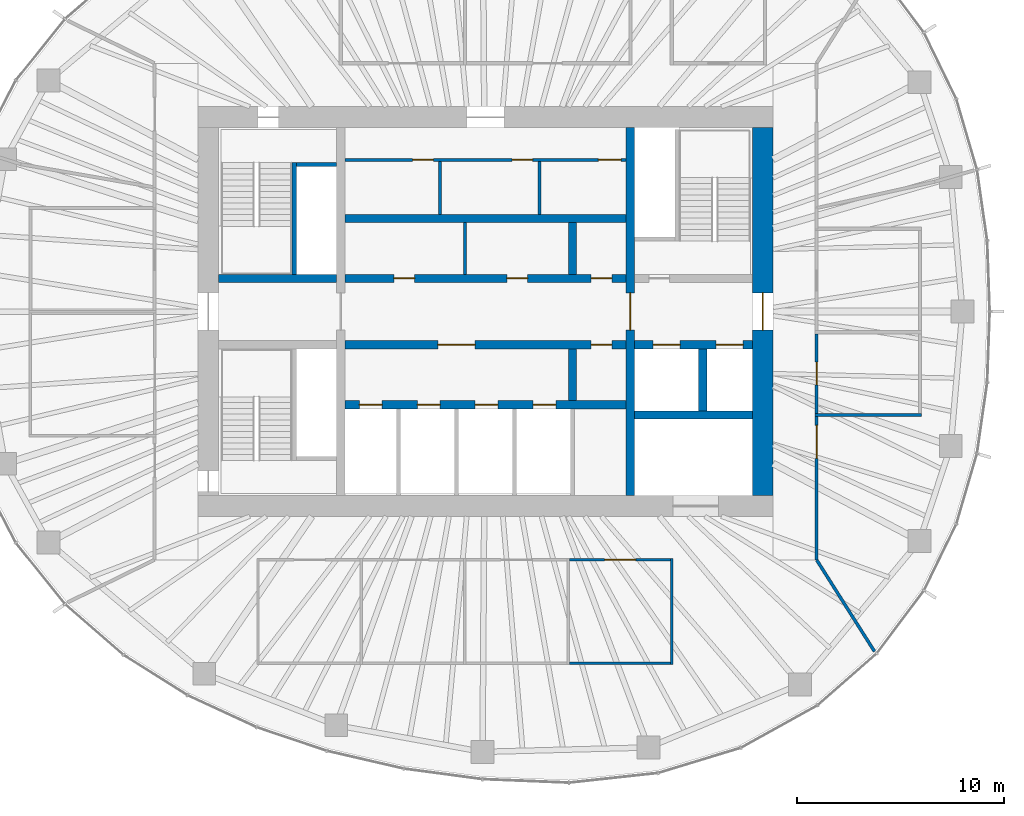
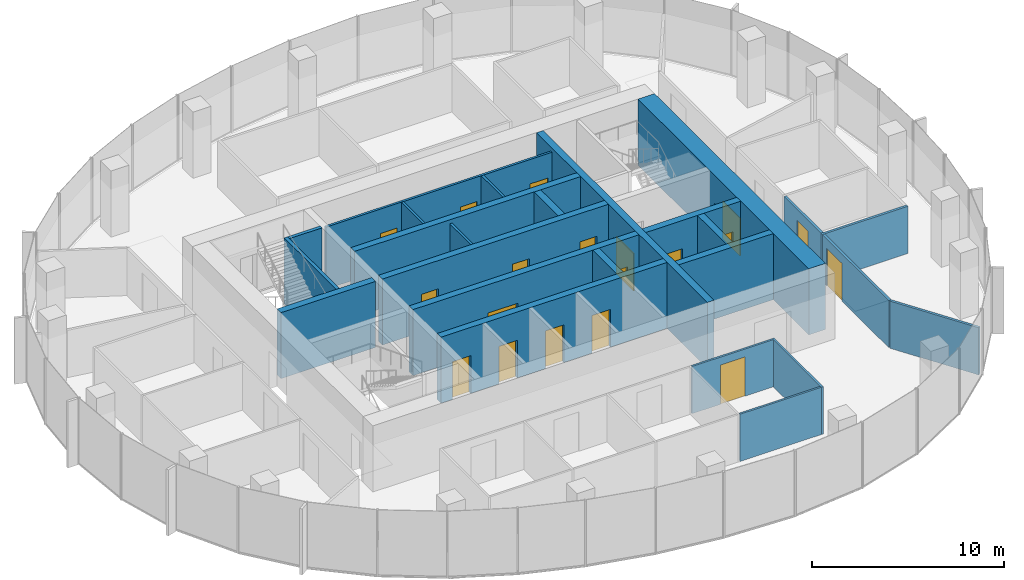
# One storey, part 9 of 11: 25 walls, 19 doors, 19 openings.
"""IFC4 building model written with IfcOpenShell, lengths in metres."""

from ifc_helpers import new_model, si_unit, direction, frame, frame_2d, origin, place, context, subcontext, project, spatial, rectangle, extrude, material, layer, layer_set, type_object, element, fill, save


model = new_model("IFC4")

# Units and contexts
model_context = context("Model", 3, precision=1e-05, world=origin(), true_north=direction((0.0, 1.0)))
body_context = subcontext(model_context, "Body", "Model", "MODEL_VIEW")
ifc_project = project(units=[si_unit("LENGTHUNIT", "METRE"), si_unit("AREAUNIT", "SQUARE_METRE"), si_unit("VOLUMEUNIT", "CUBIC_METRE"), si_unit("PLANEANGLEUNIT", "RADIAN"), si_unit("MASSUNIT", "GRAM", prefix="KILO")], contexts=[model_context])

# Site, building, storey
site_placement = place(None, origin())
site = spatial("IfcSite", under=ifc_project, at=site_placement, CompositionType="ELEMENT")
building_placement = place(site_placement, origin())
building = spatial("IfcBuilding", under=site, at=building_placement, Name="Ghaith Harvest Tower", CompositionType="ELEMENT")
storey_placement = place(building_placement, frame((0.0, 0.0, 288.0)))
storey = spatial("IfcBuildingStorey", under=building, at=storey_placement, Name="L64", CompositionType="ELEMENT", Elevation=288.0)

# Wall, openings, doors
ifc_material_1 = material(Name="Concrete blockwork, fair-faced", Category="masonry")
ifc_layer_1 = layer(ifc_material_1, 0.139892578125)
ifc_layer_set_1 = layer_set([ifc_layer_1], Name="CORE PARTITION 140")
wall_type_1 = type_object("IfcWallType", Name="CORE PARTITION 140", PredefinedType="PARTITIONING", material=ifc_layer_set_1)
wall_1_placement = place(storey_placement, frame((-6.800048828125, 7.330078125, 0.0), z_axis=(0.0, 0.0, 1.0), x_axis=(1.0, 0.0, 0.0)))
wall_1 = element("IfcWall", 1, at=wall_1_placement, inside=storey, type_object=wall_type_1, Name="Core partition L64", PredefinedType="PARTITIONING", context=body_context, shape_type="SweptSolid", body=[
    extrude(rectangle(XDim=13.60009765625, YDim=0.139892578125, at=frame_2d((6.800048828125, 0.0))), origin(), (0.0, 0.0, 1.0), 3.949951171875),
])
opening_1_placement = place(wall_1_placement, frame((3.280029296875, 0.0, 0.0)))
opening_1 = element("IfcOpeningElement", 2, at=opening_1_placement, cuts=wall_1, Name="Opening 64-008", PredefinedType="OPENING", context=body_context, shape_type="SweptSolid", body=[
    extrude(rectangle(XDim=1.0, YDim=2.39990234375, at=frame_2d((0.5, 1.199951171875))), frame((0.0, 0.080078125, 0.0), z_axis=(0.0, -1.0, 0.0), x_axis=(1.0, 0.0, 0.0)), (0.0, 0.0, 1.0), 0.159912109375),
])
opening_2_placement = place(wall_1_placement, frame((8.080078125, 0.0, 0.0)))
opening_2 = element("IfcOpeningElement", 3, at=opening_2_placement, cuts=wall_1, Name="Opening 64-009", PredefinedType="OPENING", context=body_context, shape_type="SweptSolid", body=[
    extrude(rectangle(XDim=1.0, YDim=2.39990234375, at=frame_2d((0.5, 1.199951171875))), frame((0.0, 0.080078125, 0.0), z_axis=(0.0, -1.0, 0.0), x_axis=(1.0, 0.0, 0.0)), (0.0, 0.0, 1.0), 0.159912109375),
])
opening_3_placement = place(wall_1_placement, frame((12.25, 0.0, 0.0)))
opening_3 = element("IfcOpeningElement", 4, at=opening_3_placement, cuts=wall_1, Name="Opening 64-010", PredefinedType="OPENING", context=body_context, shape_type="SweptSolid", body=[
    extrude(rectangle(XDim=1.10009765625, YDim=2.39990234375, at=frame_2d((0.550048828125, 1.199951171875))), frame((0.0, 0.080078125, 0.0), z_axis=(0.0, -1.0, 0.0), x_axis=(1.0, 0.0, 0.0)), (0.0, 0.0, 1.0), 0.159912109375),
])
ifc_material_2 = material(Name="Steel fire door", Category="steel")
door_type_1 = type_object("IfcDoorType", Name="D3 FD90 1000x2400", OperationType="SINGLE_SWING_LEFT", PredefinedType="DOOR", material=ifc_material_2)
door_1_placement = place(opening_1_placement, origin())
door_1 = element("IfcDoor", 5, at=door_1_placement, inside=storey, type_object=door_type_1, Name="Female WC door", OperationType="SINGLE_SWING_LEFT", OverallHeight=2.39990234375, OverallWidth=1.0, PredefinedType="DOOR", context=body_context, shape_type="SweptSolid", body=[
    extrude(rectangle(XDim=1.0, YDim=2.39990234375, at=frame_2d((0.5, 1.199951171875))), frame((0.0, 0.02490234375, 0.0), z_axis=(0.0, -1.0, 0.0), x_axis=(1.0, 0.0, 0.0)), (0.0, 0.0, 1.0), 0.050048828125),
])
fill(opening_1, door_1)
door_2_placement = place(opening_2_placement, origin())
door_2 = element("IfcDoor", 6, at=door_2_placement, inside=storey, type_object=door_type_1, Name="Male WC door", OperationType="SINGLE_SWING_RIGHT", OverallHeight=2.39990234375, OverallWidth=1.0, PredefinedType="DOOR", context=body_context, shape_type="SweptSolid", body=[
    extrude(rectangle(XDim=1.0, YDim=2.39990234375, at=frame_2d((0.5, 1.199951171875))), frame((0.0, 0.02490234375, 0.0), z_axis=(0.0, -1.0, 0.0), x_axis=(1.0, 0.0, 0.0)), (0.0, 0.0, 1.0), 0.050048828125),
])
fill(opening_2, door_2)
ifc_material_3 = material(Name="Steel fire door", Category="steel")
door_type_2 = type_object("IfcDoorType", Name="D9 FD90 1100x2400", OperationType="SINGLE_SWING_LEFT", PredefinedType="DOOR", material=ifc_material_3)
door_3_placement = place(opening_3_placement, origin())
door_3 = element("IfcDoor", 7, at=door_3_placement, inside=storey, type_object=door_type_2, Name="Accessible WC door", OperationType="SINGLE_SWING_RIGHT", OverallHeight=2.39990234375, OverallWidth=1.10009765625, PredefinedType="DOOR", context=body_context, shape_type="SweptSolid", body=[
    extrude(rectangle(XDim=1.10009765625, YDim=2.39990234375, at=frame_2d((0.550048828125, 1.199951171875))), frame((0.0, 0.02490234375, 0.0), z_axis=(0.0, -1.0, 0.0), x_axis=(1.0, 0.0, 0.0)), (0.0, 0.0, 1.0), 0.050048828125),
])
fill(opening_3, door_3)

# Walls
for number, where, z_axis, x_axis, name in (
    (8, (-2.199951171875, 4.699951171875, 0.0), (0.0, 0.0, 1.0), (0.0, 1.0, 0.0), "Core partition L64"),
    (9, (2.60009765625, 4.699951171875, 0.0), (0.0, 0.0, 1.0), (0.0, 1.0, 0.0), "Core partition L64"),
):
    element("IfcWall", number, at=place(storey_placement, frame(where, z_axis=z_axis, x_axis=x_axis)), inside=storey, type_object=wall_type_1, Name=name, PredefinedType="PARTITIONING", context=body_context, shape_type="SweptSolid", body=[
        extrude(rectangle(XDim=2.56005859375, YDim=0.139892578125, at=frame_2d((1.280029296875, 0.0))), origin(), (0.0, 0.0, 1.0), 3.949951171875),
    ])
wall_2_placement = place(storey_placement, frame((-1.0, 1.800048828125, 0.0), z_axis=(0.0, 0.0, 1.0), x_axis=(0.0, 1.0, 0.0)))
element("IfcWall", 10, at=wall_2_placement, inside=storey, type_object=wall_type_1, Name="Core partition L64", PredefinedType="PARTITIONING", context=body_context, shape_type="SweptSolid", body=[
    extrude(rectangle(XDim=2.5, YDim=0.139892578125, at=frame_2d((1.25, 0.0))), origin(), (0.0, 0.0, 1.0), 3.949951171875),
])

# Wall, opening, door
ifc_material_4 = material(Name="Concrete C50/60", Category="concrete")
ifc_layer_2 = layer(ifc_material_4, 1.0)
ifc_layer_set_2 = layer_set([ifc_layer_2], Name="CORE WALL CW1000")
wall_type_2 = type_object("IfcWallType", Name="CORE WALL CW1000", PredefinedType="SHEAR", material=ifc_layer_set_2)
wall_3_placement = place(storey_placement, frame((13.39990234375, -8.89990234375, 0.0), z_axis=(0.0, 0.0, 1.0), x_axis=(0.0, 1.0, 0.0)))
wall_3 = element("IfcWall", 11, at=wall_3_placement, inside=storey, type_object=wall_type_2, Name="Core wall E L64", PredefinedType="SHEAR", context=body_context, shape_type="SweptSolid", body=[
    extrude(rectangle(XDim=17.7998046875, YDim=1.0, at=frame_2d((8.89990234375, 0.0))), origin(), (0.0, 0.0, 1.0), 4.199951171875),
])
opening_4_placement = place(wall_3_placement, frame((8.0, 0.0, 0.0)))
opening_4 = element("IfcOpeningElement", 12, at=opening_4_placement, cuts=wall_3, Name="Opening 64-002", PredefinedType="OPENING", context=body_context, shape_type="SweptSolid", body=[
    extrude(rectangle(XDim=1.800048828125, YDim=2.39990234375, at=frame_2d((0.89990234375, 1.199951171875))), frame((0.0, 0.510009765625, 0.0), z_axis=(0.0, -1.0, 0.0), x_axis=(1.0, 0.0, 0.0)), (0.0, 0.0, 1.0), 1.02001953125),
])
ifc_material_5 = material(Name="Steel fire door", Category="steel")
door_type_3 = type_object("IfcDoorType", Name="D4 FD90 PAIR 1800x2400", OperationType="DOUBLE_DOOR_SINGLE_SWING", PredefinedType="DOOR", material=ifc_material_5)
door_4_placement = place(opening_4_placement, origin())
door_4 = element("IfcDoor", 13, at=door_4_placement, inside=storey, type_object=door_type_3, Name="Fire-fighting lobby doors", OperationType="DOUBLE_DOOR_SINGLE_SWING", OverallHeight=2.39990234375, OverallWidth=1.800048828125, PredefinedType="DOOR", context=body_context, shape_type="SweptSolid", body=[
    extrude(rectangle(XDim=1.800048828125, YDim=2.39990234375, at=frame_2d((0.89990234375, 1.199951171875))), frame((0.0, 0.02490234375, 0.0), z_axis=(0.0, -1.0, 0.0), x_axis=(1.0, 0.0, 0.0)), (0.0, 0.0, 1.0), 0.050048828125),
])
fill(opening_4, door_4)

# Wall
ifc_material_6 = material(Name="Insulated food-grade panel", Category="steel")
ifc_layer_3 = layer(ifc_material_6, 0.1201171875)
ifc_layer_set_3 = layer_set([ifc_layer_3], Name="INSULATED PANEL WALL 120")
wall_type_3 = type_object("IfcWallType", Name="INSULATED PANEL WALL 120", PredefinedType="PARTITIONING", material=ifc_layer_set_3)
wall_4_placement = place(storey_placement, frame((9.0, -11.93994140625, 0.0), z_axis=(0.0, 0.0, 1.0), x_axis=(0.0, -1.0, 0.0)))
element("IfcWall", 14, at=wall_4_placement, inside=storey, type_object=wall_type_3, Name="Partition L64 row S1 cross wall 5", PredefinedType="PARTITIONING", context=body_context, shape_type="SweptSolid", body=[
    extrude(rectangle(XDim=5.1201171875, YDim=0.1201171875, at=frame_2d((2.56005859375, 0.0))), origin(), (0.0, 0.0, 1.0), 3.0),
])

# Wall, opening, door
wall_5_placement = place(storey_placement, frame((4.06005859375, -12.0, 0.0), z_axis=(0.0, 0.0, 1.0), x_axis=(1.0, 0.0, 0.0)))
wall_5 = element("IfcWall", 15, at=wall_5_placement, inside=storey, type_object=wall_type_3, Name="Partition L64-04", PredefinedType="PARTITIONING", context=body_context, shape_type="SweptSolid", body=[
    extrude(rectangle(XDim=4.8798828125, YDim=0.1201171875, at=frame_2d((2.43994140625, 0.0))), origin(), (0.0, 0.0, 1.0), 3.0),
])
opening_5_placement = place(wall_5_placement, frame((1.68994140625, 0.0, 0.0)))
opening_5 = element("IfcOpeningElement", 16, at=opening_5_placement, cuts=wall_5, Name="Opening 64-027", PredefinedType="OPENING", context=body_context, shape_type="SweptSolid", body=[
    extrude(rectangle(XDim=1.5, YDim=2.5, at=frame_2d((0.75, 1.25))), frame((0.0, 0.070068359375, 0.0), z_axis=(0.0, -1.0, 0.0), x_axis=(1.0, 0.0, 0.0)), (0.0, 0.0, 1.0), 0.14013671875),
])
ifc_material_7 = material(Name="Insulated steel sliding door", Category="steel")
door_type_4 = type_object("IfcDoorType", Name="D13 COLD STORE SLIDING 1500x2500", OperationType="SLIDING_TO_LEFT", PredefinedType="DOOR", material=ifc_material_7)
door_5_placement = place(opening_5_placement, origin())
door_5 = element("IfcDoor", 17, at=door_5_placement, inside=storey, type_object=door_type_4, Name="Mushroom growing room door", OperationType="SLIDING_TO_LEFT", OverallHeight=2.5, OverallWidth=1.5, PredefinedType="DOOR", context=body_context, shape_type="SweptSolid", body=[
    extrude(rectangle(XDim=1.5, YDim=2.5, at=frame_2d((0.75, 1.25))), frame((0.0, 0.02490234375, 0.0), z_axis=(0.0, -1.0, 0.0), x_axis=(1.0, 0.0, 0.0)), (0.0, 0.0, 1.0), 0.050048828125),
])
fill(opening_5, door_5)

# Walls
wall_6_placement = place(storey_placement, frame((4.06005859375, -17.0, 0.0), z_axis=(0.0, 0.0, 1.0), x_axis=(1.0, 0.0, 0.0)))
element("IfcWall", 18, at=wall_6_placement, inside=storey, type_object=wall_type_3, Name="Partition L64-04", PredefinedType="PARTITIONING", context=body_context, shape_type="SweptSolid", body=[
    extrude(rectangle(XDim=4.8798828125, YDim=0.1201171875, at=frame_2d((2.43994140625, 0.0))), origin(), (0.0, 0.0, 1.0), 3.0),
])
ifc_material_8 = material(Name="Gypsum board on steel studs", Category="steel")
ifc_layer_4 = layer(ifc_material_8, 0.14990234375)
ifc_layer_set_4 = layer_set([ifc_layer_4], Name="PARTITION 150")
wall_type_4 = type_object("IfcWallType", Name="PARTITION 150", PredefinedType="PARTITIONING", material=ifc_layer_set_4)
wall_7_placement = place(storey_placement, frame((15.925048828125, -5.0, 0.0), z_axis=(0.0, 0.0, 1.0), x_axis=(1.0, 0.0, 0.0)))
element("IfcWall", 19, at=wall_7_placement, inside=storey, type_object=wall_type_4, Name="Partition L64 row E4 cross wall 1", PredefinedType="PARTITIONING", context=body_context, shape_type="SweptSolid", body=[
    extrude(rectangle(XDim=5.14990234375, YDim=0.14990234375, at=frame_2d((2.574951171875, 0.0))), origin(), (0.0, 0.0, 1.0), 3.0),
])

# Wall, opening, door
wall_8_placement = place(storey_placement, frame((16.0, -4.925048828125, 0.0), z_axis=(0.0, 0.0, 1.0), x_axis=(0.0, 1.0, 0.0)))
wall_8 = element("IfcWall", 20, at=wall_8_placement, inside=storey, type_object=wall_type_4, Name="Partition L64-09", PredefinedType="PARTITIONING", context=body_context, shape_type="SweptSolid", body=[
    extrude(rectangle(XDim=3.85009765625, YDim=0.14990234375, at=frame_2d((1.925048828125, 0.0))), origin(), (0.0, 0.0, 1.0), 3.0),
])
opening_6_placement = place(wall_8_placement, frame((1.375, 0.0, 0.0)))
opening_6 = element("IfcOpeningElement", 21, at=opening_6_placement, cuts=wall_8, Name="Opening 64-032", PredefinedType="OPENING", context=body_context, shape_type="SweptSolid", body=[
    extrude(rectangle(XDim=1.10009765625, YDim=2.300048828125, at=frame_2d((0.550048828125, 1.14990234375))), frame((0.0, 0.0849609375, 0.0), z_axis=(0.0, -1.0, 0.0), x_axis=(1.0, 0.0, 0.0)), (0.0, 0.0, 1.0), 0.169921875),
])
ifc_material_9 = material(Name="Timber-framed glazed door", Category="wood")
door_type_5 = type_object("IfcDoorType", Name="D12 GLAZED OFFICE 1100x2300", OperationType="SINGLE_SWING_LEFT", PredefinedType="DOOR", material=ifc_material_9)
door_6_placement = place(opening_6_placement, origin())
door_6 = element("IfcDoor", 22, at=door_6_placement, inside=storey, type_object=door_type_5, Name="Crop office door", OperationType="SINGLE_SWING_LEFT", OverallHeight=2.300048828125, OverallWidth=1.10009765625, PredefinedType="DOOR", context=body_context, shape_type="SweptSolid", body=[
    extrude(rectangle(XDim=1.10009765625, YDim=2.300048828125, at=frame_2d((0.550048828125, 1.14990234375))), frame((0.0, 0.02490234375, 0.0), z_axis=(0.0, -1.0, 0.0), x_axis=(1.0, 0.0, 0.0)), (0.0, 0.0, 1.0), 0.050048828125),
])
fill(opening_6, door_6)

# Wall
wall_9_placement = place(storey_placement, frame((16.0107421875, -12.016845703125, 0.0), z_axis=(0.0, 0.0, 1.0), x_axis=(0.53415837449, -0.845384427916, 0.0)))
element("IfcWall", 23, at=wall_9_placement, inside=storey, type_object=wall_type_4, Name="Partition L64 zone division", PredefinedType="PARTITIONING", context=body_context, shape_type="SweptSolid", body=[
    extrude(rectangle(XDim=5.220458984375, YDim=0.14990234375, at=frame_2d((2.6103515625, 0.0))), origin(), (0.0, 0.0, 1.0), 3.0),
])

# Wall, opening, door
wall_10_placement = place(storey_placement, frame((16.0, -12.0, 0.0), z_axis=(0.0, 0.0, 1.0), x_axis=(0.0, 1.0, 0.0)))
wall_10 = element("IfcWall", 24, at=wall_10_placement, inside=storey, type_object=wall_type_4, Name="Partition L64 zone enclosure", PredefinedType="PARTITIONING", context=body_context, shape_type="SweptSolid", body=[
    extrude(rectangle(XDim=7.0, YDim=0.14990234375, at=frame_2d((3.5, 0.0))), origin(), (0.0, 0.0, 1.0), 3.0),
])
opening_7_placement = place(wall_10_placement, frame((4.89990234375, 0.0, 0.0)))
opening_7 = element("IfcOpeningElement", 25, at=opening_7_placement, cuts=wall_10, Name="Opening 64-036", PredefinedType="OPENING", context=body_context, shape_type="SweptSolid", body=[
    extrude(rectangle(XDim=1.60009765625, YDim=2.39990234375, at=frame_2d((0.800048828125, 1.199951171875))), frame((0.0, 0.0849609375, 0.0), z_axis=(0.0, -1.0, 0.0), x_axis=(1.0, 0.0, 0.0)), (0.0, 0.0, 1.0), 0.169921875),
])
ifc_material_10 = material(Name="Timber door", Category="wood")
door_type_6 = type_object("IfcDoorType", Name="D2 PAIR 1600x2400", OperationType="DOUBLE_DOOR_SINGLE_SWING", PredefinedType="DOOR", material=ifc_material_10)
door_7_placement = place(opening_7_placement, origin())
door_7 = element("IfcDoor", 26, at=door_7_placement, inside=storey, type_object=door_type_6, Name="Specialty growing area east 2 door", OperationType="DOUBLE_DOOR_SINGLE_SWING", OverallHeight=2.39990234375, OverallWidth=1.60009765625, PredefinedType="DOOR", context=body_context, shape_type="SweptSolid", body=[
    extrude(rectangle(XDim=1.60009765625, YDim=2.39990234375, at=frame_2d((0.800048828125, 1.199951171875))), frame((0.0, 0.02490234375, 0.0), z_axis=(0.0, -1.0, 0.0), x_axis=(1.0, 0.0, 0.0)), (0.0, 0.0, 1.0), 0.050048828125),
])
fill(opening_7, door_7)

ifc_material_11 = material(Name="Concrete C70/85", Category="concrete")
ifc_layer_5 = layer(ifc_material_11, 0.39990234375)
ifc_layer_set_5 = layer_set([ifc_layer_5], Name="SHAFT WALL 400")
wall_type_5 = type_object("IfcWallType", Name="SHAFT WALL 400", PredefinedType="SHEAR", material=ifc_layer_set_5)
wall_11_placement = place(storey_placement, frame((7.0, -8.89990234375, 0.0), z_axis=(0.0, 0.0, 1.0), x_axis=(0.0, 1.0, 0.0)))
wall_11 = element("IfcWall", 27, at=wall_11_placement, inside=storey, type_object=wall_type_5, Name="Shaft wall W7E L64", PredefinedType="SHEAR", context=body_context, shape_type="SweptSolid", body=[
    extrude(rectangle(XDim=17.7998046875, YDim=0.39990234375, at=frame_2d((8.89990234375, 0.0))), origin(), (0.0, 0.0, 1.0), 4.199951171875),
])
opening_8_placement = place(wall_11_placement, frame((8.0, 0.0, 0.0)))
opening_8 = element("IfcOpeningElement", 28, at=opening_8_placement, cuts=wall_11, Name="Opening 64-004", PredefinedType="OPENING", context=body_context, shape_type="SweptSolid", body=[
    extrude(rectangle(XDim=1.800048828125, YDim=2.39990234375, at=frame_2d((0.89990234375, 1.199951171875))), frame((0.0, 0.2099609375, 0.0), z_axis=(0.0, -1.0, 0.0), x_axis=(1.0, 0.0, 0.0)), (0.0, 0.0, 1.0), 0.419921875),
])
door_8_placement = place(opening_8_placement, origin())
door_8 = element("IfcDoor", 29, at=door_8_placement, inside=storey, type_object=door_type_3, Name="Lift lobby doors, east", OperationType="DOUBLE_DOOR_SINGLE_SWING", OverallHeight=2.39990234375, OverallWidth=1.800048828125, PredefinedType="DOOR", context=body_context, shape_type="SweptSolid", body=[
    extrude(rectangle(XDim=1.800048828125, YDim=2.39990234375, at=frame_2d((0.89990234375, 1.199951171875))), frame((0.0, 0.02490234375, 0.0), z_axis=(0.0, -1.0, 0.0), x_axis=(1.0, 0.0, 0.0)), (0.0, 0.0, 1.0), 0.050048828125),
])
fill(opening_8, door_8)

# Wall, openings, doors
wall_12_placement = place(storey_placement, frame((-6.800048828125, 1.60009765625, 0.0), z_axis=(0.0, 0.0, 1.0), x_axis=(1.0, 0.0, 0.0)))
wall_12 = element("IfcWall", 30, at=wall_12_placement, inside=storey, type_object=wall_type_5, Name="Shaft wall LN L64", PredefinedType="SHEAR", context=body_context, shape_type="SweptSolid", body=[
    extrude(rectangle(XDim=13.60009765625, YDim=0.39990234375, at=frame_2d((6.800048828125, 0.0))), origin(), (0.0, 0.0, 1.0), 4.199951171875),
])
opening_9_placement = place(wall_12_placement, frame((2.364990234375, 0.0, 0.0)))
opening_9 = element("IfcOpeningElement", 31, at=opening_9_placement, cuts=wall_12, Name="Opening 64-011", PredefinedType="OPENING", context=body_context, shape_type="SweptSolid", body=[
    extrude(rectangle(XDim=1.0, YDim=2.39990234375, at=frame_2d((0.5, 1.199951171875))), frame((0.0, 0.2099609375, 0.0), z_axis=(0.0, -1.0, 0.0), x_axis=(1.0, 0.0, 0.0)), (0.0, 0.0, 1.0), 0.419921875),
])
opening_10_placement = place(wall_12_placement, frame((7.8349609375, 0.0, 0.0)))
opening_10 = element("IfcOpeningElement", 32, at=opening_10_placement, cuts=wall_12, Name="Opening 64-012", PredefinedType="OPENING", context=body_context, shape_type="SweptSolid", body=[
    extrude(rectangle(XDim=1.0, YDim=2.39990234375, at=frame_2d((0.5, 1.199951171875))), frame((0.0, 0.2099609375, 0.0), z_axis=(0.0, -1.0, 0.0), x_axis=(1.0, 0.0, 0.0)), (0.0, 0.0, 1.0), 0.419921875),
])
opening_11_placement = place(wall_12_placement, frame((11.89990234375, 0.0, 0.0)))
opening_11 = element("IfcOpeningElement", 33, at=opening_11_placement, cuts=wall_12, Name="Opening 64-013", PredefinedType="OPENING", context=body_context, shape_type="SweptSolid", body=[
    extrude(rectangle(XDim=1.0, YDim=2.39990234375, at=frame_2d((0.5, 1.199951171875))), frame((0.0, 0.2099609375, 0.0), z_axis=(0.0, -1.0, 0.0), x_axis=(1.0, 0.0, 0.0)), (0.0, 0.0, 1.0), 0.419921875),
])
door_9_placement = place(opening_9_placement, origin())
door_9 = element("IfcDoor", 34, at=door_9_placement, inside=storey, type_object=door_type_1, Name="Electrical room door", OperationType="SINGLE_SWING_LEFT", OverallHeight=2.39990234375, OverallWidth=1.0, PredefinedType="DOOR", context=body_context, shape_type="SweptSolid", body=[
    extrude(rectangle(XDim=1.0, YDim=2.39990234375, at=frame_2d((0.5, 1.199951171875))), frame((0.0, 0.02490234375, 0.0), z_axis=(0.0, -1.0, 0.0), x_axis=(1.0, 0.0, 0.0)), (0.0, 0.0, 1.0), 0.050048828125),
])
fill(opening_9, door_9)
door_10_placement = place(opening_10_placement, origin())
door_10 = element("IfcDoor", 35, at=door_10_placement, inside=storey, type_object=door_type_1, Name="Security room door", OperationType="SINGLE_SWING_RIGHT", OverallHeight=2.39990234375, OverallWidth=1.0, PredefinedType="DOOR", context=body_context, shape_type="SweptSolid", body=[
    extrude(rectangle(XDim=1.0, YDim=2.39990234375, at=frame_2d((0.5, 1.199951171875))), frame((0.0, 0.02490234375, 0.0), z_axis=(0.0, -1.0, 0.0), x_axis=(1.0, 0.0, 0.0)), (0.0, 0.0, 1.0), 0.050048828125),
])
fill(opening_10, door_10)
door_11_placement = place(opening_11_placement, origin())
door_11 = element("IfcDoor", 36, at=door_11_placement, inside=storey, type_object=door_type_1, Name="Communications equipment room door", OperationType="SINGLE_SWING_RIGHT", OverallHeight=2.39990234375, OverallWidth=1.0, PredefinedType="DOOR", context=body_context, shape_type="SweptSolid", body=[
    extrude(rectangle(XDim=1.0, YDim=2.39990234375, at=frame_2d((0.5, 1.199951171875))), frame((0.0, 0.02490234375, 0.0), z_axis=(0.0, -1.0, 0.0), x_axis=(1.0, 0.0, 0.0)), (0.0, 0.0, 1.0), 0.050048828125),
])
fill(opening_11, door_11)

wall_13_placement = place(storey_placement, frame((-6.800048828125, -1.60009765625, 0.0), z_axis=(0.0, 0.0, 1.0), x_axis=(1.0, 0.0, 0.0)))
wall_13 = element("IfcWall", 37, at=wall_13_placement, inside=storey, type_object=wall_type_5, Name="Shaft wall LS L64", PredefinedType="SHEAR", context=body_context, shape_type="SweptSolid", body=[
    extrude(rectangle(XDim=13.60009765625, YDim=0.39990234375, at=frame_2d((6.800048828125, 0.0))), origin(), (0.0, 0.0, 1.0), 4.199951171875),
])
opening_12_placement = place(wall_13_placement, frame((11.89990234375, 0.0, 0.0)))
opening_12 = element("IfcOpeningElement", 38, at=opening_12_placement, cuts=wall_13, Name="Opening 64-014", PredefinedType="OPENING", context=body_context, shape_type="SweptSolid", body=[
    extrude(rectangle(XDim=1.0, YDim=2.39990234375, at=frame_2d((0.5, 1.199951171875))), frame((0.0, 0.2099609375, 0.0), z_axis=(0.0, -1.0, 0.0), x_axis=(1.0, 0.0, 0.0)), (0.0, 0.0, 1.0), 0.419921875),
])
opening_13_placement = place(wall_13_placement, frame((4.5, 0.0, 0.0)))
opening_13 = element("IfcOpeningElement", 39, at=opening_13_placement, cuts=wall_13, Name="Opening 64-015", PredefinedType="OPENING", context=body_context, shape_type="SweptSolid", body=[
    extrude(rectangle(XDim=1.800048828125, YDim=2.39990234375, at=frame_2d((0.89990234375, 1.199951171875))), frame((0.0, 0.2099609375, 0.0), z_axis=(0.0, -1.0, 0.0), x_axis=(1.0, 0.0, 0.0)), (0.0, 0.0, 1.0), 0.419921875),
])
door_12_placement = place(opening_12_placement, origin())
door_12 = element("IfcDoor", 40, at=door_12_placement, inside=storey, type_object=door_type_1, Name="First aid room door", OperationType="SINGLE_SWING_RIGHT", OverallHeight=2.39990234375, OverallWidth=1.0, PredefinedType="DOOR", context=body_context, shape_type="SweptSolid", body=[
    extrude(rectangle(XDim=1.0, YDim=2.39990234375, at=frame_2d((0.5, 1.199951171875))), frame((0.0, 0.02490234375, 0.0), z_axis=(0.0, -1.0, 0.0), x_axis=(1.0, 0.0, 0.0)), (0.0, 0.0, 1.0), 0.050048828125),
])
fill(opening_12, door_12)
door_13_placement = place(opening_13_placement, origin())
door_13 = element("IfcDoor", 41, at=door_13_placement, inside=storey, type_object=door_type_3, Name="Lift lobby doors, upper-zone bank", OperationType="DOUBLE_DOOR_SINGLE_SWING", OverallHeight=2.39990234375, OverallWidth=1.800048828125, PredefinedType="DOOR", context=body_context, shape_type="SweptSolid", body=[
    extrude(rectangle(XDim=1.800048828125, YDim=2.39990234375, at=frame_2d((0.89990234375, 1.199951171875))), frame((0.0, 0.02490234375, 0.0), z_axis=(0.0, -1.0, 0.0), x_axis=(1.0, 0.0, 0.0)), (0.0, 0.0, 1.0), 0.050048828125),
])
fill(opening_13, door_13)

# Wall
wall_14_placement = place(storey_placement, frame((-6.800048828125, 4.5, 0.0), z_axis=(0.0, 0.0, 1.0), x_axis=(1.0, 0.0, 0.0)))
element("IfcWall", 42, at=wall_14_placement, inside=storey, type_object=wall_type_5, Name="Shaft wall BN L64", PredefinedType="SHEAR", context=body_context, shape_type="SweptSolid", body=[
    extrude(rectangle(XDim=13.60009765625, YDim=0.39990234375, at=frame_2d((6.800048828125, 0.0))), origin(), (0.0, 0.0, 1.0), 4.199951171875),
])

# Wall, openings, doors
wall_15_placement = place(storey_placement, frame((-6.800048828125, -4.5, 0.0), z_axis=(0.0, 0.0, 1.0), x_axis=(1.0, 0.0, 0.0)))
wall_15 = element("IfcWall", 43, at=wall_15_placement, inside=storey, type_object=wall_type_5, Name="Shaft wall BS L64", PredefinedType="SHEAR", context=body_context, shape_type="SweptSolid", body=[
    extrude(rectangle(XDim=13.60009765625, YDim=0.39990234375, at=frame_2d((6.800048828125, 0.0))), origin(), (0.0, 0.0, 1.0), 4.199951171875),
])
opening_14_placement = place(wall_15_placement, frame((0.699951171875, 0.0, 0.0)))
opening_14 = element("IfcOpeningElement", 44, at=opening_14_placement, cuts=wall_15, Name="Opening 64-017", PredefinedType="OPENING", context=body_context, shape_type="SweptSolid", body=[
    extrude(rectangle(XDim=1.10009765625, YDim=2.39990234375, at=frame_2d((0.550048828125, 1.199951171875))), frame((0.0, 0.2099609375, 0.0), z_axis=(0.0, -1.0, 0.0), x_axis=(1.0, 0.0, 0.0)), (0.0, 0.0, 1.0), 0.419921875),
])
opening_15_placement = place(wall_15_placement, frame((3.5, 0.0, 0.0)))
opening_15 = element("IfcOpeningElement", 45, at=opening_15_placement, cuts=wall_15, Name="Opening 64-018", PredefinedType="OPENING", context=body_context, shape_type="SweptSolid", body=[
    extrude(rectangle(XDim=1.10009765625, YDim=2.39990234375, at=frame_2d((0.550048828125, 1.199951171875))), frame((0.0, 0.2099609375, 0.0), z_axis=(0.0, -1.0, 0.0), x_axis=(1.0, 0.0, 0.0)), (0.0, 0.0, 1.0), 0.419921875),
])
opening_16_placement = place(wall_15_placement, frame((6.300048828125, 0.0, 0.0)))
opening_16 = element("IfcOpeningElement", 46, at=opening_16_placement, cuts=wall_15, Name="Opening 64-019", PredefinedType="OPENING", context=body_context, shape_type="SweptSolid", body=[
    extrude(rectangle(XDim=1.10009765625, YDim=2.39990234375, at=frame_2d((0.550048828125, 1.199951171875))), frame((0.0, 0.2099609375, 0.0), z_axis=(0.0, -1.0, 0.0), x_axis=(1.0, 0.0, 0.0)), (0.0, 0.0, 1.0), 0.419921875),
])
opening_17_placement = place(wall_15_placement, frame((9.10009765625, 0.0, 0.0)))
opening_17 = element("IfcOpeningElement", 47, at=opening_17_placement, cuts=wall_15, Name="Opening 64-020", PredefinedType="OPENING", context=body_context, shape_type="SweptSolid", body=[
    extrude(rectangle(XDim=1.10009765625, YDim=2.39990234375, at=frame_2d((0.550048828125, 1.199951171875))), frame((0.0, 0.2099609375, 0.0), z_axis=(0.0, -1.0, 0.0), x_axis=(1.0, 0.0, 0.0)), (0.0, 0.0, 1.0), 0.419921875),
])
ifc_material_12 = material(Name="Steel fire door", Category="steel")
door_type_7 = type_object("IfcDoorType", Name="LD1 LANDING 1100x2400", OperationType="DOUBLE_DOOR_SLIDING", PredefinedType="DOOR", material=ifc_material_12)
door_14_placement = place(opening_14_placement, origin())
door_14 = element("IfcDoor", 48, at=door_14_placement, inside=storey, type_object=door_type_7, Name="Landing door, lift TR1", OperationType="DOUBLE_DOOR_SLIDING", OverallHeight=2.39990234375, OverallWidth=1.10009765625, PredefinedType="DOOR", context=body_context, shape_type="SweptSolid", body=[
    extrude(rectangle(XDim=1.10009765625, YDim=2.39990234375, at=frame_2d((0.550048828125, 1.199951171875))), frame((0.0, 0.02490234375, 0.0), z_axis=(0.0, -1.0, 0.0), x_axis=(1.0, 0.0, 0.0)), (0.0, 0.0, 1.0), 0.050048828125),
])
fill(opening_14, door_14)
door_15_placement = place(opening_15_placement, origin())
door_15 = element("IfcDoor", 49, at=door_15_placement, inside=storey, type_object=door_type_7, Name="Landing door, lift TR2", OperationType="DOUBLE_DOOR_SLIDING", OverallHeight=2.39990234375, OverallWidth=1.10009765625, PredefinedType="DOOR", context=body_context, shape_type="SweptSolid", body=[
    extrude(rectangle(XDim=1.10009765625, YDim=2.39990234375, at=frame_2d((0.550048828125, 1.199951171875))), frame((0.0, 0.02490234375, 0.0), z_axis=(0.0, -1.0, 0.0), x_axis=(1.0, 0.0, 0.0)), (0.0, 0.0, 1.0), 0.050048828125),
])
fill(opening_15, door_15)
door_16_placement = place(opening_16_placement, origin())
door_16 = element("IfcDoor", 50, at=door_16_placement, inside=storey, type_object=door_type_7, Name="Landing door, lift TR3", OperationType="DOUBLE_DOOR_SLIDING", OverallHeight=2.39990234375, OverallWidth=1.10009765625, PredefinedType="DOOR", context=body_context, shape_type="SweptSolid", body=[
    extrude(rectangle(XDim=1.10009765625, YDim=2.39990234375, at=frame_2d((0.550048828125, 1.199951171875))), frame((0.0, 0.02490234375, 0.0), z_axis=(0.0, -1.0, 0.0), x_axis=(1.0, 0.0, 0.0)), (0.0, 0.0, 1.0), 0.050048828125),
])
fill(opening_16, door_16)
door_17_placement = place(opening_17_placement, origin())
door_17 = element("IfcDoor", 51, at=door_17_placement, inside=storey, type_object=door_type_7, Name="Landing door, lift TR4", OperationType="DOUBLE_DOOR_SLIDING", OverallHeight=2.39990234375, OverallWidth=1.10009765625, PredefinedType="DOOR", context=body_context, shape_type="SweptSolid", body=[
    extrude(rectangle(XDim=1.10009765625, YDim=2.39990234375, at=frame_2d((0.550048828125, 1.199951171875))), frame((0.0, 0.02490234375, 0.0), z_axis=(0.0, -1.0, 0.0), x_axis=(1.0, 0.0, 0.0)), (0.0, 0.0, 1.0), 0.050048828125),
])
fill(opening_17, door_17)

# Wall
wall_16_placement = place(storey_placement, frame((-12.89990234375, 1.60009765625, 0.0), z_axis=(0.0, 0.0, 1.0), x_axis=(1.0, 0.0, 0.0)))
element("IfcWall", 52, at=wall_16_placement, inside=storey, type_object=wall_type_5, Name="Shaft wall WN L64", PredefinedType="SHEAR", context=body_context, shape_type="SweptSolid", body=[
    extrude(rectangle(XDim=5.699951171875, YDim=0.39990234375, at=frame_2d((2.85009765625, 0.0))), origin(), (0.0, 0.0, 1.0), 4.199951171875),
])

# Wall, openings, doors
wall_17_placement = place(storey_placement, frame((7.199951171875, -1.60009765625, 0.0), z_axis=(0.0, 0.0, 1.0), x_axis=(1.0, 0.0, 0.0)))
wall_17 = element("IfcWall", 53, at=wall_17_placement, inside=storey, type_object=wall_type_5, Name="Shaft wall ES L64", PredefinedType="SHEAR", context=body_context, shape_type="SweptSolid", body=[
    extrude(rectangle(XDim=5.699951171875, YDim=0.39990234375, at=frame_2d((2.85009765625, 0.0))), origin(), (0.0, 0.0, 1.0), 4.199951171875),
])
opening_18_placement = place(wall_17_placement, frame((0.89990234375, 0.0, 0.0)))
opening_18 = element("IfcOpeningElement", 54, at=opening_18_placement, cuts=wall_17, Name="Opening 64-021", PredefinedType="OPENING", context=body_context, shape_type="SweptSolid", body=[
    extrude(rectangle(XDim=1.300048828125, YDim=2.39990234375, at=frame_2d((0.64990234375, 1.199951171875))), frame((0.0, 0.2099609375, 0.0), z_axis=(0.0, -1.0, 0.0), x_axis=(1.0, 0.0, 0.0)), (0.0, 0.0, 1.0), 0.419921875),
])
opening_19_placement = place(wall_17_placement, frame((3.949951171875, 0.0, 0.0)))
opening_19 = element("IfcOpeningElement", 55, at=opening_19_placement, cuts=wall_17, Name="Opening 64-022", PredefinedType="OPENING", context=body_context, shape_type="SweptSolid", body=[
    extrude(rectangle(XDim=1.300048828125, YDim=2.39990234375, at=frame_2d((0.64990234375, 1.199951171875))), frame((0.0, 0.2099609375, 0.0), z_axis=(0.0, -1.0, 0.0), x_axis=(1.0, 0.0, 0.0)), (0.0, 0.0, 1.0), 0.419921875),
])
ifc_material_13 = material(Name="Steel fire door", Category="steel")
door_type_8 = type_object("IfcDoorType", Name="LD2 LANDING 1300x2400", OperationType="DOUBLE_DOOR_SLIDING", PredefinedType="DOOR", material=ifc_material_13)
door_18_placement = place(opening_18_placement, origin())
door_18 = element("IfcDoor", 56, at=door_18_placement, inside=storey, type_object=door_type_8, Name="Landing door, fire service lift FL1", OperationType="DOUBLE_DOOR_SLIDING", OverallHeight=2.39990234375, OverallWidth=1.300048828125, PredefinedType="DOOR", context=body_context, shape_type="SweptSolid", body=[
    extrude(rectangle(XDim=1.300048828125, YDim=2.39990234375, at=frame_2d((0.64990234375, 1.199951171875))), frame((0.0, 0.02490234375, 0.0), z_axis=(0.0, -1.0, 0.0), x_axis=(1.0, 0.0, 0.0)), (0.0, 0.0, 1.0), 0.050048828125),
])
fill(opening_18, door_18)
door_19_placement = place(opening_19_placement, origin())
door_19 = element("IfcDoor", 57, at=door_19_placement, inside=storey, type_object=door_type_8, Name="Landing door, fire service lift FL2", OperationType="DOUBLE_DOOR_SLIDING", OverallHeight=2.39990234375, OverallWidth=1.300048828125, PredefinedType="DOOR", context=body_context, shape_type="SweptSolid", body=[
    extrude(rectangle(XDim=1.300048828125, YDim=2.39990234375, at=frame_2d((0.64990234375, 1.199951171875))), frame((0.0, 0.02490234375, 0.0), z_axis=(0.0, -1.0, 0.0), x_axis=(1.0, 0.0, 0.0)), (0.0, 0.0, 1.0), 0.050048828125),
])
fill(opening_19, door_19)

# Walls
wall_18_placement = place(storey_placement, frame((10.5, -4.800048828125, 0.0), z_axis=(0.0, 0.0, 1.0), x_axis=(0.0, 1.0, 0.0)))
element("IfcWall", 58, at=wall_18_placement, inside=storey, type_object=wall_type_5, Name="Shaft wall FLD L64", PredefinedType="SHEAR", context=body_context, shape_type="SweptSolid", body=[
    extrude(rectangle(XDim=3.0, YDim=0.39990234375, at=frame_2d((1.5, 0.0))), origin(), (0.0, 0.0, 1.0), 4.199951171875),
])
wall_19_placement = place(storey_placement, frame((7.199951171875, -5.0, 0.0), z_axis=(0.0, 0.0, 1.0), x_axis=(1.0, 0.0, 0.0)))
element("IfcWall", 59, at=wall_19_placement, inside=storey, type_object=wall_type_5, Name="Shaft wall FLB L64", PredefinedType="SHEAR", context=body_context, shape_type="SweptSolid", body=[
    extrude(rectangle(XDim=5.699951171875, YDim=0.39990234375, at=frame_2d((2.85009765625, 0.0))), origin(), (0.0, 0.0, 1.0), 4.199951171875),
])
for number, where, z_axis, x_axis, name in (
    (60, (4.199951171875, 1.800048828125, 0.0), (0.0, 0.0, 1.0), (0.0, 1.0, 0.0), "Shaft wall DN4 L64"),
    (61, (4.199951171875, -4.300048828125, 0.0), (0.0, 0.0, 1.0), (0.0, 1.0, 0.0), "Shaft wall DS4 L64"),
):
    element("IfcWall", number, at=place(storey_placement, frame(where, z_axis=z_axis, x_axis=x_axis)), inside=storey, type_object=wall_type_5, Name=name, PredefinedType="SHEAR", context=body_context, shape_type="SweptSolid", body=[
        extrude(rectangle(XDim=2.5, YDim=0.39990234375, at=frame_2d((1.25, 0.0))), origin(), (0.0, 0.0, 1.0), 4.199951171875),
    ])
ifc_material_14 = material(Name="Concrete C40/50", Category="concrete")
ifc_layer_6 = layer(ifc_material_14, 0.199951171875)
ifc_layer_set_6 = layer_set([ifc_layer_6], Name="STAIR SPINE WALL RC200")
wall_type_6 = type_object("IfcWallType", Name="STAIR SPINE WALL RC200", PredefinedType="SOLIDWALL", material=ifc_layer_set_6)
wall_20_placement = place(storey_placement, frame((-9.25, 7.199951171875, 0.0), z_axis=(0.0, 0.0, 1.0), x_axis=(0.0, -1.0, 0.0)))
element("IfcWall", 62, at=wall_20_placement, inside=storey, type_object=wall_type_6, Name="Stair ST1 spine wall L64", PredefinedType="SOLIDWALL", context=body_context, shape_type="SweptSolid", body=[
    extrude(rectangle(XDim=5.39990234375, YDim=0.199951171875, at=frame_2d((2.699951171875, 0.0))), origin(), (0.0, 0.0, 1.0), 4.199951171875),
])
wall_21_placement = place(storey_placement, frame((-9.14990234375, 7.10009765625, 0.0), z_axis=(0.0, 0.0, 1.0), x_axis=(1.0, 0.0, 0.0)))
element("IfcWall", 63, at=wall_21_placement, inside=storey, type_object=wall_type_6, Name="Stair ST1 spine wall return L64", PredefinedType="SOLIDWALL", context=body_context, shape_type="SweptSolid", body=[
    extrude(rectangle(XDim=1.949951171875, YDim=0.199951171875, at=frame_2d((0.97509765625, 0.0))), origin(), (0.0, 0.0, 1.0), 4.199951171875),
])

save(model, "model.ifc")
